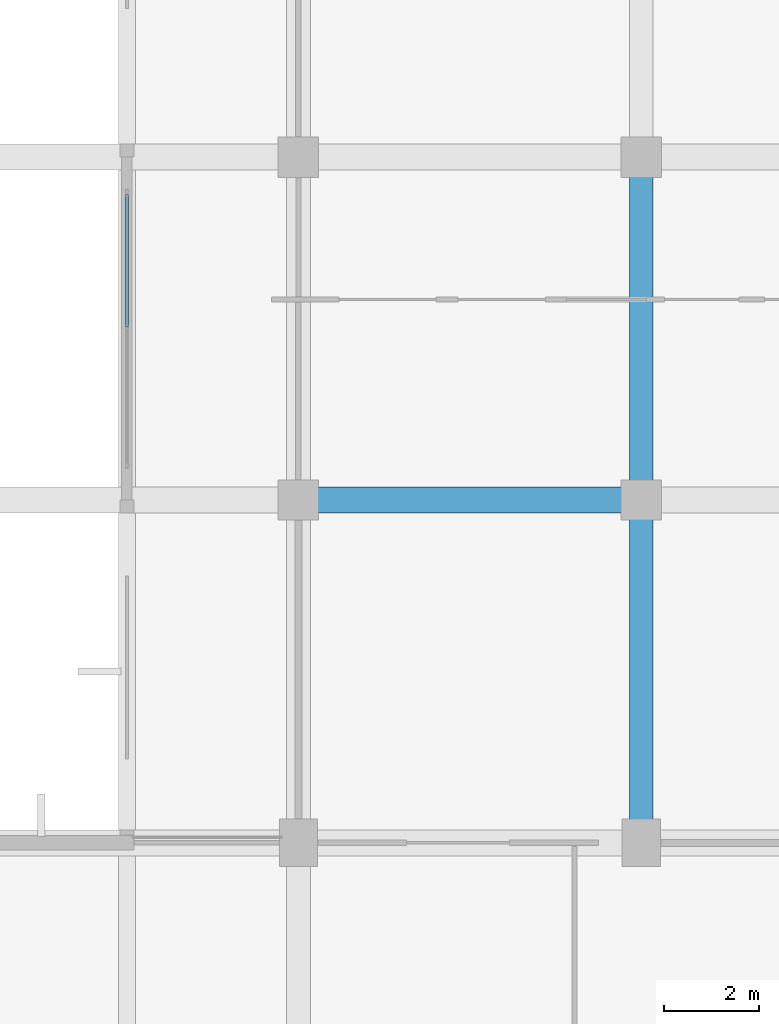
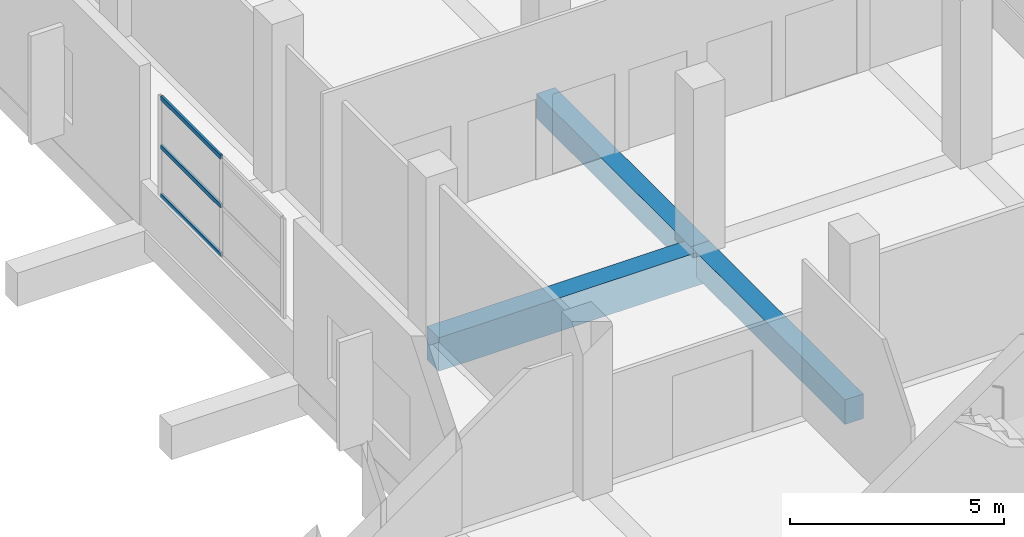
# One storey, part 17 of 181: 3 beams, 3 members, 1 element without a shape of its own.
"""IFC4 building model written with IfcOpenShell, lengths in metres."""

from ifc_helpers import new_model, si_unit, direction, frame, origin, origin_2d, place, context, subcontext, project, spatial, rectangle, hollow_rectangle, extrude, material, layer, layer_set, material_profile, profile_set, type_object, element, aggregate, save


model = new_model("IFC4")

# Units and contexts
model_context = context("Model", 3, precision=1e-05, world=origin(), true_north=direction((0.0, 1.0)))
body_context = subcontext(model_context, "Body", "Model", "MODEL_VIEW")
ifc_project = project(units=[si_unit("LENGTHUNIT", "METRE"), si_unit("AREAUNIT", "SQUARE_METRE"), si_unit("VOLUMEUNIT", "CUBIC_METRE"), si_unit("PLANEANGLEUNIT", "RADIAN"), si_unit("MASSUNIT", "GRAM", prefix="KILO")], contexts=[model_context])

# Site, building, storey
site_placement = place(None, origin())
site = spatial("IfcSite", under=ifc_project, at=site_placement, CompositionType="ELEMENT")
building_placement = place(site_placement, origin())
building = spatial("IfcBuilding", under=site, at=building_placement, Name="Seraya Terrace Polytechnic", CompositionType="ELEMENT")
storey_placement = place(building_placement, frame((0.0, 0.0, 4.800048828125)))
storey = spatial("IfcBuildingStorey", under=building, at=storey_placement, Name="L01", CompositionType="ELEMENT", Elevation=4.800048828125)

# Beams
ifc_material_1 = material(Name="Concrete C40/50", Category="concrete")
ifc_material_profile_1 = material_profile(ifc_material_1, rectangle(XDim=0.550048828125, YDim=0.949951171875, at=origin_2d()), Name="RC 550x950")
ifc_profile_set_1 = profile_set([ifc_material_profile_1], Name="Concrete C40/50")
beam_type_1 = type_object("IfcBeamType", Name="BM-03", PredefinedType="BEAM", material=ifc_profile_set_1)
beam_placement = place(storey_placement, frame((7.199951171875, 36.0, -0.47509765625), z_axis=(1.0, 0.0, 0.0), x_axis=(0.0, 1.0, 0.0)))
element("IfcBeam", 1, at=beam_placement, inside=storey, type_object=beam_type_1, Name="Beam BM-03 L01 X (7.2..14.4, 36.0)", PredefinedType="BEAM", context=body_context, shape_type="SweptSolid", body=[
    extrude(rectangle(XDim=0.550048828125, YDim=0.949951171875, at=origin_2d()), origin(), (0.0, 0.0, 1.0), 7.199951171875),
])
ifc_material_profile_2 = material_profile(ifc_material_1, rectangle(XDim=0.5, YDim=0.699951171875, at=origin_2d()), Name="RC 500x700")
ifc_profile_set_2 = profile_set([ifc_material_profile_2], Name="Concrete C40/50")
beam_type_2 = type_object("IfcBeamType", Name="BM-07", PredefinedType="BEAM", material=ifc_profile_set_2)
for number, where, z_axis, x_axis, name in (
    (2, (14.39990234375, 28.800048828125, -0.35009765625), (0.0, 1.0, 0.0), (-1.0, 0.0, 0.0), "Beam BM-07 L01 Y (14.4, 28.8..36.0)"),
    (3, (14.39990234375, 36.0, -0.35009765625), (0.0, 1.0, 0.0), (-1.0, 0.0, 0.0), "Beam BM-07 L01 Y (14.4, 36.0..43.2)"),
):
    element("IfcBeam", number, at=place(storey_placement, frame(where, z_axis=z_axis, x_axis=x_axis)), inside=storey, type_object=beam_type_2, Name=name, PredefinedType="BEAM", context=body_context, shape_type="SweptSolid", body=[
        extrude(rectangle(XDim=0.5, YDim=0.699951171875, at=origin_2d()), origin(), (0.0, 0.0, 1.0), 7.199951171875),
    ])

# Curtain wall, members
ifc_material_2 = material(Name="Anodised aluminium EN AW-6063 T6", Category="aluminium")
ifc_layer = layer(ifc_material_2, 0.179931640625, Name="CW-02")
ifc_layer_set = layer_set([ifc_layer], Name="Anodised aluminium EN AW-6063 T6")
curtain_wall_type = type_object("IfcCurtainWallType", Name="CW-02", PredefinedType="NOTDEFINED", material=ifc_layer_set)
curtain_wall_placement = place(storey_placement, origin())
curtain_wall = element("IfcCurtainWall", 4, at=curtain_wall_placement, inside=storey, type_object=curtain_wall_type, Name="Unitised curtain wall CW-02 (CW-L01-002)", PredefinedType="NOTDEFINED")
ifc_material_profile_3 = material_profile(ifc_material_2, hollow_rectangle(XDim=0.06005859375, YDim=0.1201171875, WallThickness=0.003173828125, at=origin_2d()), Name="RHS 120x60x3.2")
ifc_profile_set_3 = profile_set([ifc_material_profile_3], Name="Anodised aluminium EN AW-6063 T6")
member_type = type_object("IfcMemberType", Name="CWT-02", PredefinedType="USERDEFINED", material=ifc_profile_set_3)
member_1_placement = place(storey_placement, frame((3.60009765625, 39.6298828125, 1.27001953125), z_axis=(0.0, 1.0, 0.0), x_axis=(-1.0, 0.0, 0.0)))
member_1 = element("IfcMember", 5, at=member_1_placement, type_object=member_type, Name="CW-02 transom 2.1", ObjectType="TRANSOM", PredefinedType="USERDEFINED", context=body_context, shape_type="SweptSolid", body=[
    extrude(hollow_rectangle(XDim=0.06005859375, YDim=0.1201171875, WallThickness=0.003173828125, at=origin_2d()), origin(), (0.0, 0.0, 1.0), 2.7900390625),
])
member_2_placement = place(storey_placement, frame((3.60009765625, 39.6298828125, 2.659912109375), z_axis=(0.0, 1.0, 0.0), x_axis=(-1.0, 0.0, 0.0)))
member_2 = element("IfcMember", 6, at=member_2_placement, type_object=member_type, Name="CW-02 transom 2.2", ObjectType="TRANSOM", PredefinedType="USERDEFINED", context=body_context, shape_type="SweptSolid", body=[
    extrude(hollow_rectangle(XDim=0.06005859375, YDim=0.1201171875, WallThickness=0.003173828125, at=origin_2d()), origin(), (0.0, 0.0, 1.0), 2.7900390625),
])
member_3_placement = place(storey_placement, frame((3.60009765625, 39.6298828125, 4.050048828125), z_axis=(0.0, 1.0, 0.0), x_axis=(-1.0, 0.0, 0.0)))
member_3 = element("IfcMember", 7, at=member_3_placement, type_object=member_type, Name="CW-02 transom 2.3", ObjectType="TRANSOM", PredefinedType="USERDEFINED", context=body_context, shape_type="SweptSolid", body=[
    extrude(hollow_rectangle(XDim=0.06005859375, YDim=0.1201171875, WallThickness=0.003173828125, at=origin_2d()), origin(), (0.0, 0.0, 1.0), 2.7900390625),
])
aggregate(curtain_wall, [member_1, member_2, member_3])

save(model, "model.ifc")
